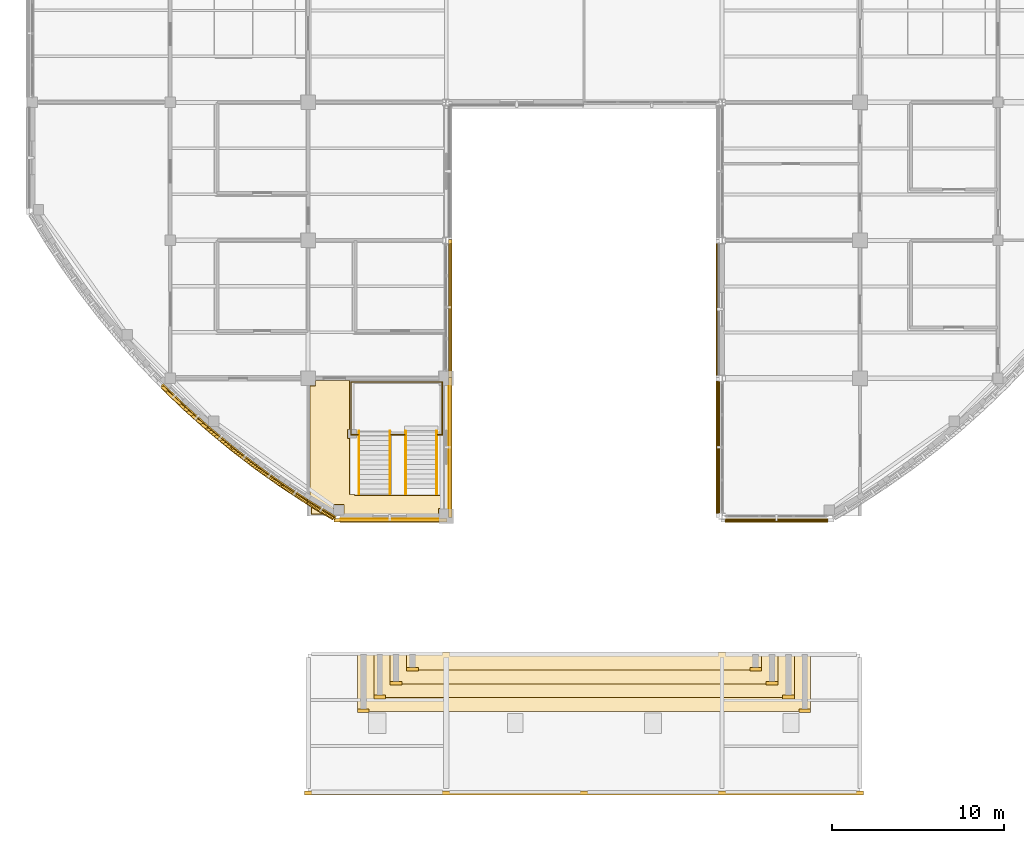
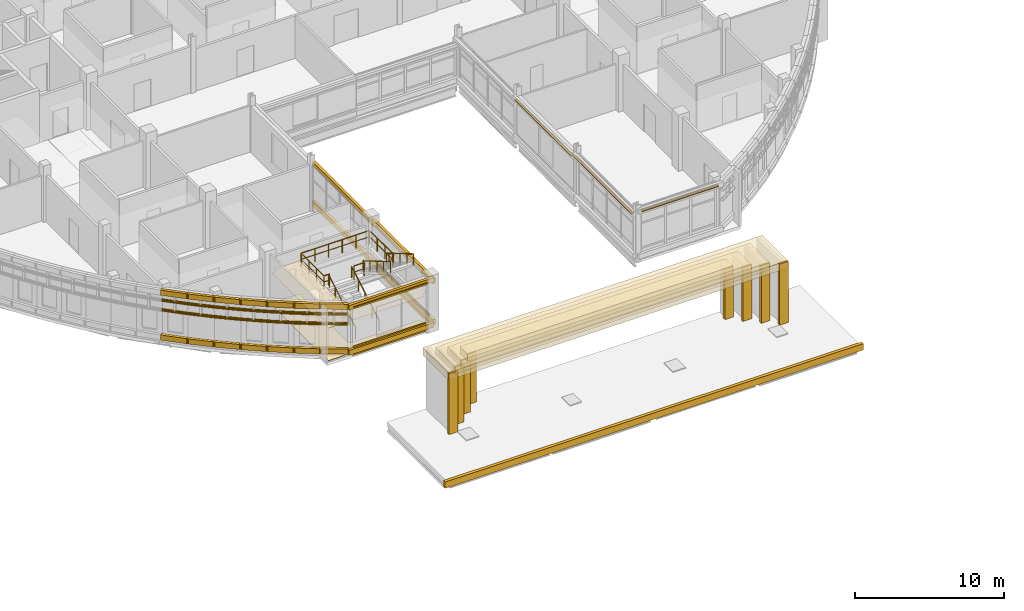
# One storey, part 111 of 121: 37 coverings, 20 shading devices, 10 railings.
"""IFC4 building model written with IfcOpenShell, lengths in metres."""

from ifc_helpers import new_model, si_unit, derived_unit, direction, frame, origin, origin_2d, place, context, subcontext, project, spatial, polyline, rectangle, circle, outline, extrude, material, layer, layer_set, material_profile, profile_set, type_object, element, save


model = new_model("IFC4")

# Units and contexts
model_context = context("Model", 3, precision=1e-05, world=origin(), true_north=direction((0.0, 1.0)))
body_context = subcontext(model_context, "Body", "Model", "MODEL_VIEW")
ifc_project = project(units=[si_unit("LENGTHUNIT", "METRE"), si_unit("AREAUNIT", "SQUARE_METRE"), si_unit("VOLUMEUNIT", "CUBIC_METRE"), si_unit("PLANEANGLEUNIT", "RADIAN"), si_unit("MASSUNIT", "GRAM", prefix="KILO"), derived_unit("THERMALTRANSMITTANCEUNIT", [(si_unit("MASSUNIT", "GRAM", prefix="KILO"), 1), (si_unit("TIMEUNIT", "SECOND"), -3), (si_unit("THERMODYNAMICTEMPERATUREUNIT", "KELVIN"), -1)])], contexts=[model_context])

# Site, building, storey
site_placement = place(None, origin())
site = spatial("IfcSite", under=ifc_project, at=site_placement, CompositionType="ELEMENT")
building_placement = place(site_placement, origin())
building = spatial("IfcBuilding", under=site, at=building_placement, Name="Veyamyaing Civic Hall", CompositionType="ELEMENT")
storey_placement = place(building_placement, frame((0.0, 0.0, 5.280029296875)))
storey = spatial("IfcBuildingStorey", under=building, at=storey_placement, Name="L01", CompositionType="ELEMENT", Elevation=5.280029296875)

# Coverings
ifc_material_1 = material(Name="Buff sandstone ashlar cladding", Category="masonry")
ifc_layer_1 = layer(ifc_material_1, 0.050048828125, Name="Buff sandstone ashlar cladding")
ifc_layer_set_1 = layer_set([ifc_layer_1], Name="Buff sandstone ashlar cladding")
covering_type_1 = type_object("IfcCoveringType", Name="CL-01", PredefinedType="CLADDING", material=ifc_layer_set_1)
covering_1_placement = place(storey_placement, frame((76.72216796875, 15.826416015625, 0.044921875), z_axis=(0.0, 0.0, 1.0), x_axis=(1.0, 0.0, 0.0)))
element("IfcCovering", 1, at=covering_1_placement, inside=storey, type_object=covering_type_1, Name="Facade spandrel cladding CL-01 L01 S 10.3", PredefinedType="CLADDING", context=body_context, shape_type="SweptSolid", body=[
    extrude(rectangle(XDim=5.65576171875, YDim=0.050048828125, at=origin_2d()), origin(), (0.0, 0.0, 1.0), 0.75),
])
covering_2_placement = place(storey_placement, frame((80.173583984375, 20.0, 0.044921875), z_axis=(0.0, 0.0, 1.0), x_axis=(0.0, 1.0, 0.0)))
element("IfcCovering", 2, at=covering_2_placement, inside=storey, type_object=covering_type_1, Name="Facade spandrel cladding CL-01 L01 E 10.3", PredefinedType="CLADDING", context=body_context, shape_type="SweptSolid", body=[
    extrude(rectangle(XDim=7.10009765625, YDim=0.050048828125, at=origin_2d()), origin(), (0.0, 0.0, 1.0), 0.75),
])
ifc_material_2 = material(Name="White powder-coated aluminium 6063-T6", Category="aluminium")
ifc_layer_2 = layer(ifc_material_2, 0.2099609375, Name="White powder-coated aluminium 6063-T6")
ifc_layer_set_2 = layer_set([ifc_layer_2], Name="White powder-coated aluminium 6063-T6")
covering_type_2 = type_object("IfcCoveringType", Name="CL-03", PredefinedType="CLADDING", material=ifc_layer_set_2)
for number, where, z_axis, x_axis, name in (
    (3, (64.218994140625, 22.94775390625, 0.27001953125), (0.0, 0.0, 1.0), (0.720205321688, -0.693760978012, 0.0), "Continuous white corner ribbon CL-03 L01 SW.8.1"),
    (4, (64.218994140625, 22.94775390625, 3.945068359375), (0.0, 0.0, 1.0), (0.720205321688, -0.693760978012, 0.0), "Continuous white corner ribbon CL-03 L01 SW.8.2"),
    (5, (65.536865234375, 21.72509765625, 0.27001953125), (0.0, 0.0, 1.0), (0.745642208225, -0.666346529453, 0.0), "Continuous white corner ribbon CL-03 L01 SW.9.1"),
    (6, (65.536865234375, 21.72509765625, 3.945068359375), (0.0, 0.0, 1.0), (0.745642208225, -0.666346529453, 0.0), "Continuous white corner ribbon CL-03 L01 SW.9.2"),
    (7, (66.8994140625, 20.55224609375, 0.27001953125), (0.0, 0.0, 1.0), (0.770036026853, -0.638000405445, 0.0), "Continuous white corner ribbon CL-03 L01 SW.10.1"),
    (8, (66.8994140625, 20.55224609375, 3.945068359375), (0.0, 0.0, 1.0), (0.770036026853, -0.638000405445, 0.0), "Continuous white corner ribbon CL-03 L01 SW.10.2"),
    (9, (68.30517578125, 19.431396484375, 0.27001953125), (0.0, 0.0, 1.0), (0.793353292936, -0.608761490723, 0.0), "Continuous white corner ribbon CL-03 L01 SW.11.1"),
    (10, (68.30517578125, 19.431396484375, 3.945068359375), (0.0, 0.0, 1.0), (0.793353292936, -0.608761490723, 0.0), "Continuous white corner ribbon CL-03 L01 SW.11.2"),
    (11, (69.751708984375, 18.364013671875, 0.27001953125), (0.0, 0.0, 1.0), (0.815560964241, -0.578671161892, 0.0), "Continuous white corner ribbon CL-03 L01 SW.12.1"),
    (12, (69.751708984375, 18.364013671875, 3.945068359375), (0.0, 0.0, 1.0), (0.815560964241, -0.578671161892, 0.0), "Continuous white corner ribbon CL-03 L01 SW.12.2"),
    (13, (71.23681640625, 17.351318359375, 0.27001953125), (0.0, 0.0, 1.0), (0.836627843942, -0.547771714075, 0.0), "Continuous white corner ribbon CL-03 L01 SW.13.1"),
    (14, (71.23681640625, 17.351318359375, 3.945068359375), (0.0, 0.0, 1.0), (0.836627843942, -0.547771714075, 0.0), "Continuous white corner ribbon CL-03 L01 SW.13.2"),
    (15, (72.75927734375, 16.394775390625, 0.27001953125), (0.0, 0.0, 1.0), (0.856524411006, -0.516106513571, 0.0), "Continuous white corner ribbon CL-03 L01 SW.14.1"),
    (16, (72.75927734375, 16.394775390625, 3.945068359375), (0.0, 0.0, 1.0), (0.856524411006, -0.516106513571, 0.0), "Continuous white corner ribbon CL-03 L01 SW.14.2"),
):
    element("IfcCovering", number, at=place(storey_placement, frame(where, z_axis=z_axis, x_axis=x_axis)), inside=storey, type_object=covering_type_2, Name=name, PredefinedType="CLADDING", context=body_context, shape_type="SweptSolid", body=[
        extrude(rectangle(XDim=1.93505859375, YDim=0.2099609375, at=origin_2d()), origin(), (0.0, 0.0, 1.0), 0.419921875),
    ])
for number, where, z_axis, x_axis, name in (
    (17, (76.78466796875, 15.760009765625, 3.955078125), (0.0, 0.0, 1.0), (1.0, 0.0, 0.0), "Continuous white head fascia ribbon CL-03 L01 S 10.3"),
    (18, (76.78466796875, 15.760009765625, 0.280029296875), (0.0, 0.0, 1.0), (1.0, 0.0, 0.0), "Continuous white sill fascia ribbon CL-03 L01 S 10.3"),
):
    element("IfcCovering", number, at=place(storey_placement, frame(where, z_axis=z_axis, x_axis=x_axis)), inside=storey, type_object=covering_type_2, Name=name, PredefinedType="CLADDING", context=body_context, shape_type="SweptSolid", body=[
        extrude(rectangle(XDim=6.55078125, YDim=0.2099609375, at=origin_2d()), origin(), (0.0, 0.0, 1.0), 0.39990234375),
    ])
for number, where, z_axis, x_axis, name in (
    (19, (80.239990234375, 20.0, 3.638916015625), (0.0, 0.0, 1.0), (0.0, 1.0, 0.0), "Continuous white head fascia ribbon CL-03 L01 E 10.3"),
    (20, (80.239990234375, 20.0, 0.280029296875), (0.0, 0.0, 1.0), (0.0, 1.0, 0.0), "Continuous white sill fascia ribbon CL-03 L01 E 10.3"),
    (21, (80.239990234375, 28.0, 3.484130859375), (0.0, 0.0, 1.0), (0.0, 1.0, 0.0), "Continuous white head fascia ribbon CL-03 L01 E 10.4"),
    (22, (80.239990234375, 28.0, 0.280029296875), (0.0, 0.0, 1.0), (0.0, 1.0, 0.0), "Continuous white sill fascia ribbon CL-03 L01 E 10.4"),
):
    element("IfcCovering", number, at=place(storey_placement, frame(where, z_axis=z_axis, x_axis=x_axis)), inside=storey, type_object=covering_type_2, Name=name, PredefinedType="CLADDING", context=body_context, shape_type="SweptSolid", body=[
        extrude(rectangle(XDim=8.1201171875, YDim=0.2099609375, at=origin_2d()), origin(), (0.0, 0.0, 1.0), 0.39990234375),
    ])
covering_3_placement = place(storey_placement, frame((88.0, -0.050048828125, -0.419921875), z_axis=(0.0, 0.0, 1.0), x_axis=(1.0, 0.0, 0.0)))
element("IfcCovering", 23, at=covering_3_placement, inside=storey, type_object=covering_type_2, Name="South portal colonnade white entablature band CL-03", PredefinedType="CLADDING", context=body_context, shape_type="SweptSolid", body=[
    extrude(rectangle(XDim=32.39990234375, YDim=0.239990234375, at=origin_2d()), origin(), (0.0, 0.0, 1.0), 0.52001953125),
])
for number, where, z_axis, x_axis, name in (
    (24, (75.199951171875, 4.719970703125, 0.0), (0.0, 0.0, 1.0), (1.0, 0.0, 0.0), "Carved South Portal White Jamb Architrave CL-03 Step 1 L"),
    (25, (100.800048828125, 4.719970703125, 0.0), (0.0, 0.0, 1.0), (1.0, 0.0, 0.0), "Carved South Portal White Jamb Architrave CL-03 Step 1 R"),
):
    element("IfcCovering", number, at=place(storey_placement, frame(where, z_axis=z_axis, x_axis=x_axis)), inside=storey, type_object=covering_type_2, Name=name, PredefinedType="CLADDING", context=body_context, shape_type="SweptSolid", body=[
        extrude(rectangle(XDim=0.679931640625, YDim=0.2099609375, at=origin_2d()), origin(), (0.0, 0.0, 1.0), 5.0),
    ])
covering_4_placement = place(storey_placement, frame((88.0, 6.389892578125, 4.409912109375), z_axis=(0.0, 0.0, 1.0), x_axis=(1.0, 0.0, 0.0)))
element("IfcCovering", 26, at=covering_4_placement, inside=storey, type_object=covering_type_2, Name="Carved South Portal White Stepped Header Architrave CL-03 Step 1", PredefinedType="CLADDING", context=body_context, shape_type="SweptSolid", body=[
    extrude(rectangle(XDim=26.280029296875, YDim=3.419921875, at=origin_2d()), origin(), (0.0, 0.0, 1.0), 0.6201171875),
])
for number, where, z_axis, x_axis, name in (
    (27, (76.14990234375, 5.52001953125, 0.0), (0.0, 0.0, 1.0), (1.0, 0.0, 0.0), "Carved South Portal White Jamb Architrave CL-03 Step 2 L"),
    (28, (99.85009765625, 5.52001953125, 0.0), (0.0, 0.0, 1.0), (1.0, 0.0, 0.0), "Carved South Portal White Jamb Architrave CL-03 Step 2 R"),
):
    element("IfcCovering", number, at=place(storey_placement, frame(where, z_axis=z_axis, x_axis=x_axis)), inside=storey, type_object=covering_type_2, Name=name, PredefinedType="CLADDING", context=body_context, shape_type="SweptSolid", body=[
        extrude(rectangle(XDim=0.679931640625, YDim=0.2099609375, at=origin_2d()), origin(), (0.0, 0.0, 1.0), 4.699951171875),
    ])
covering_5_placement = place(storey_placement, frame((88.0, 6.7900390625, 4.10986328125), z_axis=(0.0, 0.0, 1.0), x_axis=(1.0, 0.0, 0.0)))
element("IfcCovering", 29, at=covering_5_placement, inside=storey, type_object=covering_type_2, Name="Carved South Portal White Stepped Header Architrave CL-03 Step 2", PredefinedType="CLADDING", context=body_context, shape_type="SweptSolid", body=[
    extrude(rectangle(XDim=24.3798828125, YDim=2.6201171875, at=origin_2d()), origin(), (0.0, 0.0, 1.0), 0.6201171875),
])
for number, where, z_axis, x_axis, name in (
    (30, (77.10009765625, 6.320068359375, 0.0), (0.0, 0.0, 1.0), (1.0, 0.0, 0.0), "Carved South Portal White Jamb Architrave CL-03 Step 3 L"),
    (31, (98.89990234375, 6.320068359375, 0.0), (0.0, 0.0, 1.0), (1.0, 0.0, 0.0), "Carved South Portal White Jamb Architrave CL-03 Step 3 R"),
):
    element("IfcCovering", number, at=place(storey_placement, frame(where, z_axis=z_axis, x_axis=x_axis)), inside=storey, type_object=covering_type_2, Name=name, PredefinedType="CLADDING", context=body_context, shape_type="SweptSolid", body=[
        extrude(rectangle(XDim=0.679931640625, YDim=0.2099609375, at=origin_2d()), origin(), (0.0, 0.0, 1.0), 4.39990234375),
    ])
covering_6_placement = place(storey_placement, frame((88.0, 7.18994140625, 3.809814453125), z_axis=(0.0, 0.0, 1.0), x_axis=(1.0, 0.0, 0.0)))
element("IfcCovering", 32, at=covering_6_placement, inside=storey, type_object=covering_type_2, Name="Carved South Portal White Stepped Header Architrave CL-03 Step 3", PredefinedType="CLADDING", context=body_context, shape_type="SweptSolid", body=[
    extrude(rectangle(XDim=22.47998046875, YDim=1.820068359375, at=origin_2d()), origin(), (0.0, 0.0, 1.0), 0.6201171875),
])
for number, where, z_axis, x_axis, name in (
    (33, (78.050048828125, 7.1201171875, 0.0), (0.0, 0.0, 1.0), (1.0, 0.0, 0.0), "Carved South Portal White Jamb Architrave CL-03 Step 4 L"),
    (34, (97.949951171875, 7.1201171875, 0.0), (0.0, 0.0, 1.0), (1.0, 0.0, 0.0), "Carved South Portal White Jamb Architrave CL-03 Step 4 R"),
):
    element("IfcCovering", number, at=place(storey_placement, frame(where, z_axis=z_axis, x_axis=x_axis)), inside=storey, type_object=covering_type_2, Name=name, PredefinedType="CLADDING", context=body_context, shape_type="SweptSolid", body=[
        extrude(rectangle(XDim=0.679931640625, YDim=0.2099609375, at=origin_2d()), origin(), (0.0, 0.0, 1.0), 4.10009765625),
    ])
covering_7_placement = place(storey_placement, frame((88.0, 7.590087890625, 3.510009765625), z_axis=(0.0, 0.0, 1.0), x_axis=(1.0, 0.0, 0.0)))
element("IfcCovering", 35, at=covering_7_placement, inside=storey, type_object=covering_type_2, Name="Carved South Portal White Stepped Header Architrave CL-03 Step 4", PredefinedType="CLADDING", context=body_context, shape_type="SweptSolid", body=[
    extrude(rectangle(XDim=20.580078125, YDim=1.02001953125, at=origin_2d()), origin(), (0.0, 0.0, 1.0), 0.6201171875),
])
ifc_material_3 = material(Name="Perforated acoustic gypsum ceiling board")
ifc_layer_3 = layer(ifc_material_3, 0.02490234375, Name="Perforated acoustic gypsum ceiling board")
ifc_layer_set_3 = layer_set([ifc_layer_3], Name="Perforated acoustic gypsum ceiling board")
covering_type_3 = type_object("IfcCoveringType", Name="CLG-01", PredefinedType="CEILING", material=ifc_layer_set_3)
covering_8_placement = place(storey_placement, frame((0.0, 0.0, 2.699951171875)))
element("IfcCovering", 36, at=covering_8_placement, inside=storey, type_object=covering_type_3, Name="Acoustic suspended ceiling CLG-01 L01-H03", PredefinedType="CEILING", context=body_context, shape_type="SweptSolid", body=[
    extrude(outline(polyline([(72.148193359375, 16.992431640625), (72.13623046875, 17.02099609375), (72.118896484375, 17.04638671875), (72.094970703125, 17.07080078125), (72.094970703125, 23.590087890625), (72.409912109375, 23.590087890625), (72.409912109375, 23.905029296875), (74.425048828125, 23.905029296875), (74.425048828125, 21.014892578125), (74.31494140625, 21.014892578125), (74.31494140625, 20.544921875), (74.425048828125, 20.544921875), (74.425048828125, 17.27490234375), (74.705078125, 17.27490234375), (74.705078125, 17.22509765625), (79.905029296875, 17.22509765625), (79.905029296875, 16.409912109375), (79.590087890625, 16.409912109375), (79.590087890625, 16.094970703125), (74.064208984375, 16.094970703125), (74.064208984375, 16.648681640625), (73.494140625, 16.648681640625), (73.494140625, 16.094970703125), (72.155029296875, 16.094970703125), (72.154052734375, 16.96240234375), (72.148193359375, 16.992431640625)])), origin(), (0.0, 0.0, 1.0), 0.02490234375),
])
ifc_material_4 = material(Name="Polished Mandalay marble and terrazzo flooring", Category="masonry")
ifc_layer_4 = layer(ifc_material_4, 0.030029296875, Name="Polished Mandalay marble and terrazzo flooring")
ifc_layer_set_4 = layer_set([ifc_layer_4], Name="Polished Mandalay marble and terrazzo flooring")
covering_type_4 = type_object("IfcCoveringType", Name="FLR-01", PredefinedType="FLOORING", material=ifc_layer_set_4)
covering_9_placement = place(storey_placement, origin())
element("IfcCovering", 37, at=covering_9_placement, inside=storey, type_object=covering_type_4, Name="Stone and terrazzo flooring FLR-01 L01-H03", PredefinedType="FLOORING", context=body_context, shape_type="SweptSolid", body=[
    extrude(outline(polyline([(72.172119140625, 17.0), (72.158203125, 17.03271484375), (72.138427734375, 17.062255859375), (72.1201171875, 17.0810546875), (72.1201171875, 23.56494140625), (72.43505859375, 23.56494140625), (72.43505859375, 23.8798828125), (74.39990234375, 23.8798828125), (74.39990234375, 21.0400390625), (74.2900390625, 21.0400390625), (74.2900390625, 20.52001953125), (74.39990234375, 20.52001953125), (74.39990234375, 17.25), (74.679931640625, 17.25), (74.679931640625, 17.199951171875), (79.8798828125, 17.199951171875), (79.8798828125, 16.43505859375), (79.56494140625, 16.43505859375), (79.56494140625, 16.1201171875), (74.089111328125, 16.1201171875), (74.089111328125, 16.673583984375), (73.46923828125, 16.673583984375), (73.46923828125, 16.1201171875), (72.179931640625, 16.1201171875), (72.17919921875, 16.965087890625), (72.172119140625, 17.0)])), origin(), (0.0, 0.0, 1.0), 0.030029296875),
])

# Railings
ifc_material_5 = material(Name="Steel S355J2", Category="steel")
railing_type_1 = type_object("IfcRailingType", Name="RL-01", PredefinedType="BALUSTRADE", material=ifc_material_5)
railing_1_placement = place(storey_placement, frame((74.47998046875, 20.719970703125, 2.31005859375)))
element("IfcRailing", 38, at=railing_1_placement, inside=storey, type_object=railing_type_1, Name="Monumental stair half-landing guard ST-08.1", PredefinedType="BALUSTRADE", context=body_context, shape_type="SweptSolid", body=[
    extrude(circle(Radius=0.02392578125, at=origin_2d()), frame((0.0, 0.0, 1.076171875), z_axis=(1.0, 0.0, 0.0), x_axis=(0.0, 1.0, 0.0)), (0.0, 0.0, 1.0), 0.419921875),
    extrude(circle(Radius=0.01416015625, at=origin_2d()), frame((0.0, 0.0, 0.572021484375), z_axis=(1.0, 0.0, 0.0), x_axis=(0.0, 1.0, 0.0)), (0.0, 0.0, 1.0), 0.419921875),
    extrude(circle(Radius=0.02099609375, at=origin_2d()), origin(), (0.0, 0.0, 1.0), 1.052001953125),
    extrude(circle(Radius=0.02099609375, at=origin_2d()), frame((0.419921875, 0.0, 0.0)), (0.0, 0.0, 1.0), 1.052001953125),
])
railing_2_placement = place(storey_placement, frame((74.47998046875, 20.719970703125, 2.31005859375)))
element("IfcRailing", 39, at=railing_2_placement, inside=storey, type_object=railing_type_1, Name="Monumental stair half-landing guard ST-08.2", PredefinedType="BALUSTRADE", context=body_context, shape_type="SweptSolid", body=[
    extrude(circle(Radius=0.02392578125, at=origin_2d()), frame((0.0, 0.0, 1.076171875), z_axis=(0.0, 1.0, 0.0), x_axis=(-1.0, 0.0, 0.0)), (0.0, 0.0, 1.0), 3.06005859375),
    extrude(circle(Radius=0.01416015625, at=origin_2d()), frame((0.0, 0.0, 0.572021484375), z_axis=(0.0, 1.0, 0.0), x_axis=(-1.0, 0.0, 0.0)), (0.0, 0.0, 1.0), 3.06005859375),
    extrude(circle(Radius=0.02099609375, at=origin_2d()), origin(), (0.0, 0.0, 1.0), 1.052001953125),
    extrude(circle(Radius=0.02099609375, at=origin_2d()), frame((0.0, 1.02001953125, 0.0)), (0.0, 0.0, 1.0), 1.052001953125),
    extrude(circle(Radius=0.02099609375, at=origin_2d()), frame((0.0, 2.0400390625, 0.0)), (0.0, 0.0, 1.0), 1.052001953125),
    extrude(circle(Radius=0.02099609375, at=origin_2d()), frame((0.0, 3.06005859375, 0.0)), (0.0, 0.0, 1.0), 1.052001953125),
])
railing_3_placement = place(storey_placement, frame((74.47998046875, 23.780029296875, 2.31005859375)))
element("IfcRailing", 40, at=railing_3_placement, inside=storey, type_object=railing_type_1, Name="Monumental stair half-landing guard ST-08.3", PredefinedType="BALUSTRADE", context=body_context, shape_type="SweptSolid", body=[
    extrude(circle(Radius=0.02392578125, at=origin_2d()), frame((0.0, 0.0, 1.076171875), z_axis=(1.0, 0.0, 0.0), x_axis=(0.0, 1.0, 0.0)), (0.0, 0.0, 1.0), 5.300048828125),
    extrude(circle(Radius=0.01416015625, at=origin_2d()), frame((0.0, 0.0, 0.572021484375), z_axis=(1.0, 0.0, 0.0), x_axis=(0.0, 1.0, 0.0)), (0.0, 0.0, 1.0), 5.300048828125),
    extrude(circle(Radius=0.02099609375, at=origin_2d()), origin(), (0.0, 0.0, 1.0), 1.052001953125),
    extrude(circle(Radius=0.02099609375, at=origin_2d()), frame((1.06005859375, 0.0, 0.0)), (0.0, 0.0, 1.0), 1.052001953125),
    extrude(circle(Radius=0.02099609375, at=origin_2d()), frame((2.1201171875, 0.0, 0.0)), (0.0, 0.0, 1.0), 1.052001953125),
    extrude(circle(Radius=0.02099609375, at=origin_2d()), frame((3.179931640625, 0.0, 0.0)), (0.0, 0.0, 1.0), 1.052001953125),
    extrude(circle(Radius=0.02099609375, at=origin_2d()), frame((4.239990234375, 0.0, 0.0)), (0.0, 0.0, 1.0), 1.052001953125),
    extrude(circle(Radius=0.02099609375, at=origin_2d()), frame((5.300048828125, 0.0, 0.0)), (0.0, 0.0, 1.0), 1.052001953125),
])
railing_4_placement = place(storey_placement, frame((79.780029296875, 23.780029296875, 2.31005859375)))
element("IfcRailing", 41, at=railing_4_placement, inside=storey, type_object=railing_type_1, Name="Monumental stair half-landing guard ST-08.4", PredefinedType="BALUSTRADE", context=body_context, shape_type="SweptSolid", body=[
    extrude(circle(Radius=0.02392578125, at=origin_2d()), frame((0.0, 0.0, 1.076171875), z_axis=(0.0, -1.0, 0.0), x_axis=(1.0, 0.0, 0.0)), (0.0, 0.0, 1.0), 3.06005859375),
    extrude(circle(Radius=0.01416015625, at=origin_2d()), frame((0.0, 0.0, 0.572021484375), z_axis=(0.0, -1.0, 0.0), x_axis=(1.0, 0.0, 0.0)), (0.0, 0.0, 1.0), 3.06005859375),
    extrude(circle(Radius=0.02099609375, at=origin_2d()), origin(), (0.0, 0.0, 1.0), 1.052001953125),
    extrude(circle(Radius=0.02099609375, at=origin_2d()), frame((0.0, -1.02001953125, 0.0)), (0.0, 0.0, 1.0), 1.052001953125),
    extrude(circle(Radius=0.02099609375, at=origin_2d()), frame((0.0, -2.0400390625, 0.0)), (0.0, 0.0, 1.0), 1.052001953125),
    extrude(circle(Radius=0.02099609375, at=origin_2d()), frame((0.0, -3.06005859375, 0.0)), (0.0, 0.0, 1.0), 1.052001953125),
])
railing_5_placement = place(storey_placement, frame((79.5, 20.719970703125, 2.31005859375)))
element("IfcRailing", 42, at=railing_5_placement, inside=storey, type_object=railing_type_1, Name="Monumental stair half-landing guard ST-08.5", PredefinedType="BALUSTRADE", context=body_context, shape_type="SweptSolid", body=[
    extrude(circle(Radius=0.02392578125, at=origin_2d()), frame((0.0, 0.0, 1.076171875), z_axis=(1.0, 0.0, 0.0), x_axis=(0.0, 1.0, 0.0)), (0.0, 0.0, 1.0), 0.280029296875),
    extrude(circle(Radius=0.01416015625, at=origin_2d()), frame((0.0, 0.0, 0.572021484375), z_axis=(1.0, 0.0, 0.0), x_axis=(0.0, 1.0, 0.0)), (0.0, 0.0, 1.0), 0.280029296875),
    extrude(circle(Radius=0.02099609375, at=origin_2d()), origin(), (0.0, 0.0, 1.0), 1.052001953125),
    extrude(circle(Radius=0.02099609375, at=origin_2d()), frame((0.280029296875, 0.0, 0.0)), (0.0, 0.0, 1.0), 1.052001953125),
])
railing_6_placement = place(storey_placement, frame((76.800048828125, 20.719970703125, 2.31005859375)))
element("IfcRailing", 43, at=railing_6_placement, inside=storey, type_object=railing_type_1, Name="Monumental stair half-landing guard ST-08.6", PredefinedType="BALUSTRADE", context=body_context, shape_type="SweptSolid", body=[
    extrude(circle(Radius=0.02392578125, at=origin_2d()), frame((0.0, 0.0, 1.076171875), z_axis=(1.0, 0.0, 0.0), x_axis=(0.0, 1.0, 0.0)), (0.0, 0.0, 1.0), 0.800048828125),
    extrude(circle(Radius=0.01416015625, at=origin_2d()), frame((0.0, 0.0, 0.572021484375), z_axis=(1.0, 0.0, 0.0), x_axis=(0.0, 1.0, 0.0)), (0.0, 0.0, 1.0), 0.800048828125),
    extrude(circle(Radius=0.02099609375, at=origin_2d()), origin(), (0.0, 0.0, 1.0), 1.052001953125),
    extrude(circle(Radius=0.02099609375, at=origin_2d()), frame((0.800048828125, 0.0, 0.0)), (0.0, 0.0, 1.0), 1.052001953125),
])
railing_type_2 = type_object("IfcRailingType", Name="RL-02", PredefinedType="HANDRAIL", material=ifc_material_5)
for number, where, name in (
    (44, (74.949951171875, 17.300048828125, 0.1650390625), "Monumental stair handrail ST-08.1"),
    (45, (76.75, 17.300048828125, 0.1650390625), "Monumental stair handrail ST-08.2"),
):
    element("IfcRailing", number, at=place(storey_placement, frame(where)), inside=storey, type_object=railing_type_2, Name=name, PredefinedType="HANDRAIL", context=body_context, shape_type="SweptSolid", body=[
        extrude(circle(Radius=0.02392578125, at=origin_2d()), frame((0.0, 0.0, 0.89599609375), z_axis=(0.0, 0.861529885852, 0.507706860091), x_axis=(-1.0, 0.0, 0.0)), (0.0, 0.0, 1.0), 4.224853515625),
        extrude(circle(Radius=0.02099609375, at=origin_2d()), origin(), (0.0, 0.0, 1.0), 0.871826171875),
        extrude(circle(Radius=0.02099609375, at=origin_2d()), frame((0.0, 0.909912109375, 0.5361328125)), (0.0, 0.0, 1.0), 0.871826171875),
        extrude(circle(Radius=0.02099609375, at=origin_2d()), frame((0.0, 1.81982421875, 1.072509765625)), (0.0, 0.0, 1.0), 0.871826171875),
        extrude(circle(Radius=0.02099609375, at=origin_2d()), frame((0.0, 2.72998046875, 1.60888671875)), (0.0, 0.0, 1.0), 0.871826171875),
        extrude(circle(Radius=0.02099609375, at=origin_2d()), frame((0.0, 3.639892578125, 2.14501953125)), (0.0, 0.0, 1.0), 0.871826171875),
    ])
for number, where, name in (
    (46, (77.64990234375, 20.93994140625, 2.474853515625), "Monumental stair handrail ST-08.3"),
    (47, (79.449951171875, 20.93994140625, 2.474853515625), "Monumental stair handrail ST-08.4"),
):
    element("IfcRailing", number, at=place(storey_placement, frame(where)), inside=storey, type_object=railing_type_2, Name=name, PredefinedType="HANDRAIL", context=body_context, shape_type="SweptSolid", body=[
        extrude(circle(Radius=0.02392578125, at=origin_2d()), frame((0.0, 0.0, 0.89599609375), z_axis=(0.0, -0.861529885852, 0.507706860091), x_axis=(1.0, 0.0, 0.0)), (0.0, 0.0, 1.0), 4.224853515625),
        extrude(circle(Radius=0.02099609375, at=origin_2d()), origin(), (0.0, 0.0, 1.0), 0.871826171875),
        extrude(circle(Radius=0.02099609375, at=origin_2d()), frame((0.0, -0.909912109375, 0.5361328125)), (0.0, 0.0, 1.0), 0.871826171875),
        extrude(circle(Radius=0.02099609375, at=origin_2d()), frame((0.0, -1.81982421875, 1.072509765625)), (0.0, 0.0, 1.0), 0.871826171875),
        extrude(circle(Radius=0.02099609375, at=origin_2d()), frame((0.0, -2.72998046875, 1.60888671875)), (0.0, 0.0, 1.0), 0.871826171875),
        extrude(circle(Radius=0.02099609375, at=origin_2d()), frame((0.0, -3.639892578125, 2.14501953125)), (0.0, 0.0, 1.0), 0.871826171875),
    ])

# Shading devices
ifc_material_profile = material_profile(ifc_material_2, circle(Radius=0.110107421875, at=origin_2d()), Name="SHADE-TUBE-220")
ifc_profile_set = profile_set([ifc_material_profile], Name="White powder-coated aluminium 6063-T6")
shading_device_type = type_object("IfcShadingDeviceType", Name="SH-01", PredefinedType="USERDEFINED", material=ifc_profile_set)
for number, where, z_axis, x_axis, name in (
    (48, (63.51708984375, 23.512939453125, 2.75), (0.720176733402, -0.693790654785, 0.0), (0.693790654785, 0.720176733402, 0.0), "White corner sunshade ribbon SH-01 L01 SW.8.1"),
    (49, (63.51708984375, 23.512939453125, 3.550048828125), (0.720176733402, -0.693790654785, 0.0), (0.693790654785, 0.720176733402, 0.0), "White corner sunshade ribbon SH-01 L01 SW.8.2"),
):
    element("IfcShadingDevice", number, at=place(storey_placement, frame(where, z_axis=z_axis, x_axis=x_axis)), inside=storey, type_object=shading_device_type, Name=name, ObjectType="SUNSHADE", PredefinedType="USERDEFINED", context=body_context, shape_type="SweptSolid", body=[
        extrude(circle(Radius=0.110107421875, at=origin_2d()), origin(), (0.0, 0.0, 1.0), 1.794921875),
    ])
for number, where, z_axis, x_axis, name in (
    (50, (64.814208984375, 22.263427734375, 2.75), (0.745703543965, -0.666277888361, 0.0), (0.666277888361, 0.745703543965, 0.0), "White corner sunshade ribbon SH-01 L01 SW.9.1"),
    (51, (64.814208984375, 22.263427734375, 3.550048828125), (0.745703543965, -0.666277888361, 0.0), (0.666277888361, 0.745703543965, 0.0), "White corner sunshade ribbon SH-01 L01 SW.9.2"),
    (52, (66.1572265625, 21.0634765625, 2.75), (0.770046377824, -0.637987912111, 0.0), (0.637987912111, 0.770046377824, 0.0), "White corner sunshade ribbon SH-01 L01 SW.10.1"),
    (53, (66.1572265625, 21.0634765625, 3.550048828125), (0.770046377824, -0.637987912111, 0.0), (0.637987912111, 0.770046377824, 0.0), "White corner sunshade ribbon SH-01 L01 SW.10.2"),
    (54, (67.544189453125, 19.914306640625, 2.75), (0.79339180423, -0.608711298549, 0.0), (0.608711298549, 0.79339180423, 0.0), "White corner sunshade ribbon SH-01 L01 SW.11.1"),
    (55, (67.544189453125, 19.914306640625, 3.550048828125), (0.79339180423, -0.608711298549, 0.0), (0.608711298549, 0.79339180423, 0.0), "White corner sunshade ribbon SH-01 L01 SW.11.2"),
):
    element("IfcShadingDevice", number, at=place(storey_placement, frame(where, z_axis=z_axis, x_axis=x_axis)), inside=storey, type_object=shading_device_type, Name=name, ObjectType="SUNSHADE", PredefinedType="USERDEFINED", context=body_context, shape_type="SweptSolid", body=[
        extrude(circle(Radius=0.110107421875, at=origin_2d()), origin(), (0.0, 0.0, 1.0), 1.795166015625),
    ])
for number, where, z_axis, x_axis, name in (
    (56, (68.973388671875, 18.818115234375, 2.75), (0.815521639764, -0.578726580586, 0.0), (0.578726580586, 0.815521639764, 0.0), "White corner sunshade ribbon SH-01 L01 SW.12.1"),
    (57, (68.973388671875, 18.818115234375, 3.550048828125), (0.815521639764, -0.578726580586, 0.0), (0.578726580586, 0.815521639764, 0.0), "White corner sunshade ribbon SH-01 L01 SW.12.2"),
):
    element("IfcShadingDevice", number, at=place(storey_placement, frame(where, z_axis=z_axis, x_axis=x_axis)), inside=storey, type_object=shading_device_type, Name=name, ObjectType="SUNSHADE", PredefinedType="USERDEFINED", context=body_context, shape_type="SweptSolid", body=[
        extrude(circle(Radius=0.110107421875, at=origin_2d()), origin(), (0.0, 0.0, 1.0), 1.794921875),
    ])
for number, where, z_axis, x_axis, name in (
    (58, (70.442138671875, 17.77587890625, 2.75), (0.836624464161, -0.547776876079, 0.0), (0.547776876079, 0.836624464161, 0.0), "White corner sunshade ribbon SH-01 L01 SW.13.1"),
    (59, (70.442138671875, 17.77587890625, 3.550048828125), (0.836624464161, -0.547776876079, 0.0), (0.547776876079, 0.836624464161, 0.0), "White corner sunshade ribbon SH-01 L01 SW.13.2"),
):
    element("IfcShadingDevice", number, at=place(storey_placement, frame(where, z_axis=z_axis, x_axis=x_axis)), inside=storey, type_object=shading_device_type, Name=name, ObjectType="SUNSHADE", PredefinedType="USERDEFINED", context=body_context, shape_type="SweptSolid", body=[
        extrude(circle(Radius=0.110107421875, at=origin_2d()), origin(), (0.0, 0.0, 1.0), 1.795166015625),
    ])
for number, where, z_axis, x_axis, name in (
    (60, (71.94921875, 16.789306640625, 2.75), (0.856543302071, -0.51607516088, 0.0), (0.51607516088, 0.856543302071, 0.0), "White corner sunshade ribbon SH-01 L01 SW.14.1"),
    (61, (71.94921875, 16.789306640625, 3.550048828125), (0.856543302071, -0.51607516088, 0.0), (0.51607516088, 0.856543302071, 0.0), "White corner sunshade ribbon SH-01 L01 SW.14.2"),
):
    element("IfcShadingDevice", number, at=place(storey_placement, frame(where, z_axis=z_axis, x_axis=x_axis)), inside=storey, type_object=shading_device_type, Name=name, ObjectType="SUNSHADE", PredefinedType="USERDEFINED", context=body_context, shape_type="SweptSolid", body=[
        extrude(circle(Radius=0.110107421875, at=origin_2d()), origin(), (0.0, 0.0, 1.0), 1.794921875),
    ])
shading_device_1_placement = place(storey_placement, frame((73.854248046875, 15.760009765625, 4.114990234375), z_axis=(1.0, 0.0, 0.0), x_axis=(0.0, 1.0, 0.0)))
element("IfcShadingDevice", 62, at=shading_device_1_placement, inside=storey, type_object=shading_device_type, Name="Horizontal white sunshade ribbon SH-01 L01 S 10.3", ObjectType="SUNSHADE", PredefinedType="USERDEFINED", context=body_context, shape_type="SweptSolid", body=[
    extrude(circle(Radius=0.110107421875, at=origin_2d()), origin(), (0.0, 0.0, 1.0), 5.73583984375),
])
shading_device_2_placement = place(storey_placement, frame((80.239990234375, 16.409912109375, 3.799072265625), z_axis=(0.0, 1.0, 0.0), x_axis=(-1.0, 0.0, 0.0)))
element("IfcShadingDevice", 63, at=shading_device_2_placement, inside=storey, type_object=shading_device_type, Name="Horizontal white sunshade ribbon SH-01 L01 E 10.3", ObjectType="SUNSHADE", PredefinedType="USERDEFINED", context=body_context, shape_type="SweptSolid", body=[
    extrude(circle(Radius=0.110107421875, at=origin_2d()), origin(), (0.0, 0.0, 1.0), 7.18017578125),
])
shading_device_3_placement = place(storey_placement, frame((80.239990234375, 24.409912109375, 3.64404296875), z_axis=(0.0, 1.0, 0.0), x_axis=(-1.0, 0.0, 0.0)))
element("IfcShadingDevice", 64, at=shading_device_3_placement, inside=storey, type_object=shading_device_type, Name="Horizontal white sunshade ribbon SH-01 L01 E 10.4", ObjectType="SUNSHADE", PredefinedType="USERDEFINED", context=body_context, shape_type="SweptSolid", body=[
    extrude(circle(Radius=0.110107421875, at=origin_2d()), origin(), (0.0, 0.0, 1.0), 7.419189453125),
])
shading_device_4_placement = place(storey_placement, frame((96.172119140625, 15.760009765625, 4.114990234375), z_axis=(1.0, 0.0, 0.0), x_axis=(0.0, 1.0, 0.0)))
element("IfcShadingDevice", 65, at=shading_device_4_placement, inside=storey, type_object=shading_device_type, Name="Horizontal white sunshade ribbon SH-01 L01 S 13.3", ObjectType="SUNSHADE", PredefinedType="USERDEFINED", context=body_context, shape_type="SweptSolid", body=[
    extrude(circle(Radius=0.110107421875, at=origin_2d()), origin(), (0.0, 0.0, 1.0), 5.9736328125),
])
for number, where, z_axis, x_axis, name in (
    (66, (95.760009765625, 16.1708984375, 3.802001953125), (0.0, 1.0, 0.0), (-1.0, 0.0, 0.0), "Horizontal white sunshade ribbon SH-01 L01 W 13.3"),
    (67, (95.760009765625, 24.1708984375, 3.637939453125), (0.0, 1.0, 0.0), (-1.0, 0.0, 0.0), "Horizontal white sunshade ribbon SH-01 L01 W 13.4"),
):
    element("IfcShadingDevice", number, at=place(storey_placement, frame(where, z_axis=z_axis, x_axis=x_axis)), inside=storey, type_object=shading_device_type, Name=name, ObjectType="SUNSHADE", PredefinedType="USERDEFINED", context=body_context, shape_type="SweptSolid", body=[
        extrude(circle(Radius=0.110107421875, at=origin_2d()), origin(), (0.0, 0.0, 1.0), 7.658203125),
    ])

save(model, "model.ifc")
